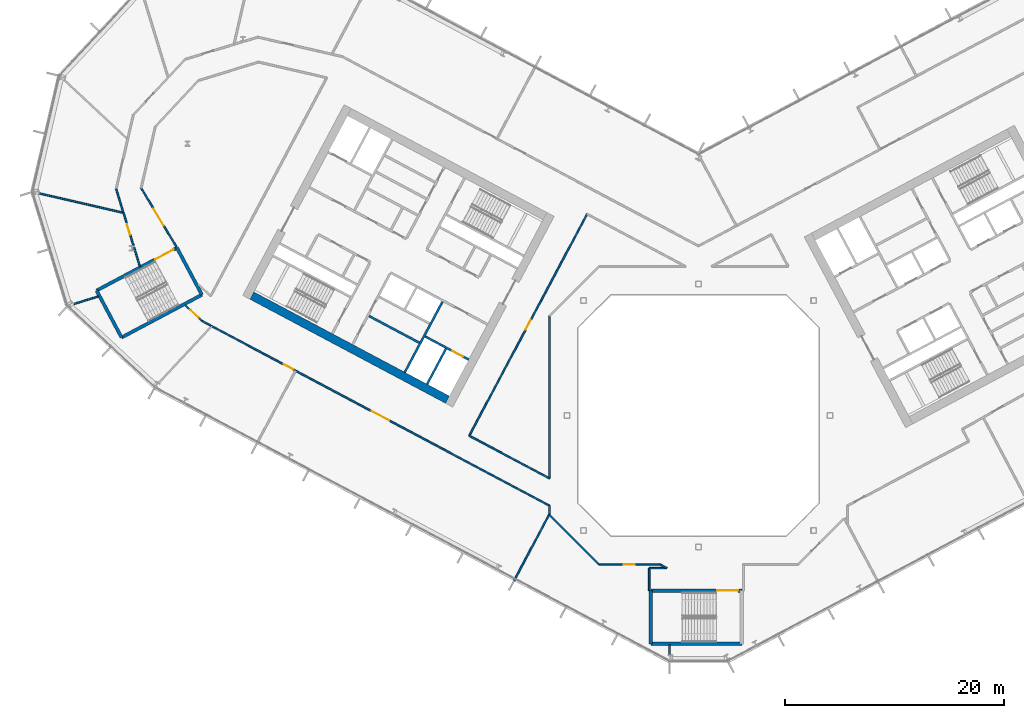
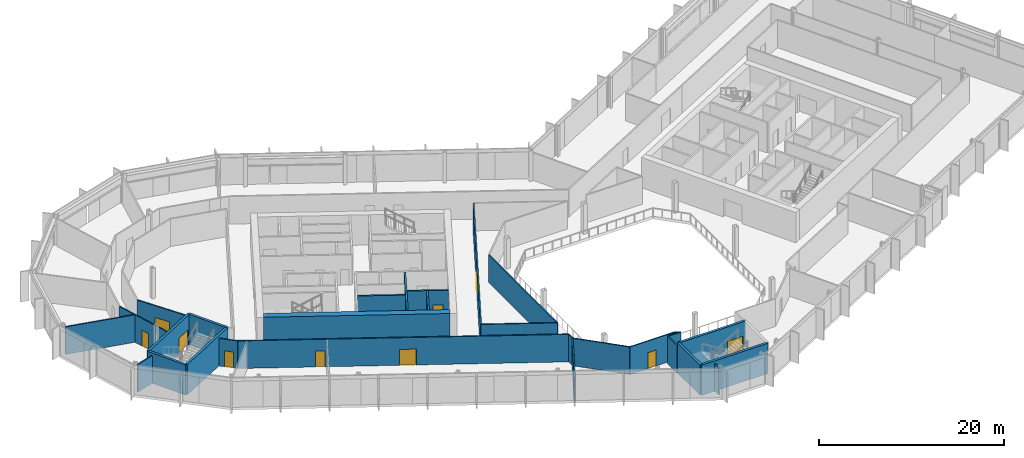
# One storey, part 13 of 28: 32 walls, 10 doors, 10 openings.
"""IFC4 building model written with IfcOpenShell, lengths in metres."""

from ifc_helpers import new_model, si_unit, direction, frame, frame_2d, origin, place, context, subcontext, project, spatial, rectangle, extrude, material, layer, layer_set, type_object, element, fill, save


model = new_model("IFC4")

# Units and contexts
model_context = context("Model", 3, precision=1e-05, world=origin(), true_north=direction((0.0, 1.0)))
body_context = subcontext(model_context, "Body", "Model", "MODEL_VIEW")
ifc_project = project(units=[si_unit("LENGTHUNIT", "METRE"), si_unit("AREAUNIT", "SQUARE_METRE"), si_unit("VOLUMEUNIT", "CUBIC_METRE"), si_unit("PLANEANGLEUNIT", "RADIAN"), si_unit("MASSUNIT", "GRAM", prefix="KILO")], contexts=[model_context])

# Site, building, storey
site_placement = place(None, origin())
site = spatial("IfcSite", under=ifc_project, at=site_placement, CompositionType="ELEMENT")
building_placement = place(site_placement, origin())
building = spatial("IfcBuilding", under=site, at=building_placement, Name="Cormorant Relay Tower", CompositionType="ELEMENT")
storey_placement = place(building_placement, frame((0.0, 0.0, 142.199951171875)))
storey = spatial("IfcBuildingStorey", under=building, at=storey_placement, Name="L29", CompositionType="ELEMENT", Elevation=142.199951171875)

# Walls
ifc_material_1 = material(Name="Concrete 40 MPa", Category="concrete")
ifc_layer_1 = layer(ifc_material_1, 0.199951171875)
ifc_layer_set_1 = layer_set([ifc_layer_1], Name="Core internal wall 200")
wall_type_1 = type_object("IfcWallType", Name="Core internal wall 200", PredefinedType="SOLIDWALL", material=ifc_layer_set_1)
wall_1_placement = place(storey_placement, frame((-25.46728515625, 6.632568359375, 0.0), z_axis=(0.0, 0.0, 1.0), x_axis=(-0.882953967957, 0.469459572775, 0.0)))
element("IfcWall", 1, at=wall_1_placement, inside=storey, type_object=wall_type_1, Name="L29 core A shaft and room wall", PredefinedType="SOLIDWALL", context=body_context, shape_type="SweptSolid", body=[
    extrude(rectangle(XDim=5.199951171875, YDim=0.199951171875, at=frame_2d((2.60009765625, 0.0))), origin(), (0.0, 0.0, 1.0), 4.0),
])
ifc_material_2 = material(Name="Concrete 50 MPa", Category="concrete")
ifc_layer_2 = layer(ifc_material_2, 0.199951171875)
ifc_layer_set_2 = layer_set([ifc_layer_2], Name="Core shaft wall 200")
wall_type_2 = type_object("IfcWallType", Name="Core shaft wall 200", PredefinedType="SHEAR", material=ifc_layer_set_2)
wall_2_placement = place(storey_placement, frame((-23.04296875, 6.07958984375, 0.0), z_axis=(0.0, 0.0, 1.0), x_axis=(-0.469494272526, -0.882935517501, 0.0)))
element("IfcWall", 2, at=wall_2_placement, inside=storey, type_object=wall_type_2, Name="L29 core A shaft wall", PredefinedType="SHEAR", context=body_context, shape_type="SweptSolid", body=[
    extrude(rectangle(XDim=3.64990234375, YDim=0.199951171875, at=frame_2d((1.824951171875, 0.0))), origin(), (0.0, 0.0, 1.0), 4.0),
])
wall_3_placement = place(storey_placement, frame((-23.360107421875, 10.38232421875, 0.0), z_axis=(0.0, 0.0, 1.0), x_axis=(-0.469480409012, -0.88294288918, 0.0)))
element("IfcWall", 3, at=wall_3_placement, inside=storey, type_object=wall_type_2, Name="L29 core A shaft wall", PredefinedType="SHEAR", context=body_context, shape_type="SweptSolid", body=[
    extrude(rectangle(XDim=7.300048828125, YDim=0.199951171875, at=frame_2d((3.64990234375, 0.0))), origin(), (0.0, 0.0, 1.0), 4.0),
])

# Wall, opening, door
wall_4_placement = place(storey_placement, frame((-20.96533203125, 5.088134765625, 0.0), z_axis=(0.0, 0.0, 1.0), x_axis=(-0.882925986334, 0.469512196493, 0.0)))
wall_4 = element("IfcWall", 4, at=wall_4_placement, inside=storey, type_object=wall_type_2, Name="L29 core A shaft wall", PredefinedType="SHEAR", context=body_context, shape_type="SweptSolid", body=[
    extrude(rectangle(XDim=4.5, YDim=0.199951171875, at=frame_2d((2.25, 0.0))), origin(), (0.0, 0.0, 1.0), 4.0),
])
opening_1_placement = place(wall_4_placement, frame((0.60009765625, 0.0, 0.0)))
opening_1 = element("IfcOpeningElement", 5, at=opening_1_placement, cuts=wall_4, Name="Opening LD1-043", PredefinedType="OPENING", context=body_context, shape_type="SweptSolid", body=[
    extrude(rectangle(XDim=1.10009765625, YDim=2.10009765625, at=frame_2d((0.550048828125, 1.050048828125))), frame((0.0, 0.10986328125, 0.0), z_axis=(0.0, -1.0, 0.0), x_axis=(1.0, 0.0, 0.0)), (0.0, 0.0, 1.0), 0.219970703125),
])
ifc_material_3 = material(Name="Stainless steel 316", Category="steel")
door_type_1 = type_object("IfcDoorType", Name="Lift landing door 1100x2100", OperationType="DOUBLE_DOOR_SLIDING", PredefinedType="DOOR", material=ifc_material_3)
door_1_placement = place(opening_1_placement, origin())
door_1 = element("IfcDoor", 6, at=door_1_placement, inside=storey, type_object=door_type_1, Name="FF1 landing door", OperationType="DOUBLE_DOOR_SLIDING", OverallHeight=2.10009765625, OverallWidth=1.10009765625, PredefinedType="DOOR", context=body_context, shape_type="SweptSolid", body=[
    extrude(rectangle(XDim=1.10009765625, YDim=2.10009765625, at=frame_2d((0.550048828125, 1.050048828125))), frame((0.0, 0.02490234375, 0.0), z_axis=(0.0, -1.0, 0.0), x_axis=(1.0, 0.0, 0.0)), (0.0, 0.0, 1.0), 0.050048828125),
])
fill(opening_1, door_1)

# Walls
ifc_material_4 = material(Name="Concrete 60 MPa", Category="concrete")
ifc_layer_3 = layer(ifc_material_4, 0.75)
ifc_layer_set_3 = layer_set([ifc_layer_3], Name="Core wall 750")
wall_type_3 = type_object("IfcWallType", Name="Core wall 750", PredefinedType="SHEAR", material=ifc_layer_set_3)
wall_5_placement = place(storey_placement, frame((-22.90185546875, 1.446044921875, 0.0), z_axis=(0.0, 0.0, 1.0), x_axis=(-0.88294509198, 0.469476266226, 0.0)))
element("IfcWall", 7, at=wall_5_placement, inside=storey, type_object=wall_type_3, Name="L29 core A wall", PredefinedType="SHEAR", context=body_context, shape_type="SweptSolid", body=[
    extrude(rectangle(XDim=20.199951171875, YDim=0.75, at=frame_2d((10.10009765625, 0.0))), origin(), (0.0, 0.0, 1.0), 4.0),
])
ifc_material_5 = material(Name="Gypsum board fire partition")
ifc_layer_4 = layer(ifc_material_5, 0.14990234375)
ifc_layer_set_4 = layer_set([ifc_layer_4], Name="Corridor partition 150 EI 60")
wall_type_4 = type_object("IfcWallType", Name="Corridor partition 150 EI 60", PredefinedType="PARTITIONING", material=ifc_layer_set_4)
wall_6_placement = place(storey_placement, frame((-53.114990234375, 20.658935546875, 0.0), z_axis=(0.0, 0.0, 1.0), x_axis=(0.292062202153, -0.956399325634, 0.0)))
element("IfcWall", 8, at=wall_6_placement, inside=storey, type_object=wall_type_4, Name="wall/L29/part/005", PredefinedType="PARTITIONING", context=body_context, shape_type="SweptSolid", body=[
    extrude(rectangle(XDim=2.221923828125, YDim=0.14990234375, at=frame_2d((1.11083984375, 0.0))), origin(), (0.0, 0.0, 1.0), 3.64013671875),
])
wall_7_placement = place(storey_placement, frame((-50.958984375, 13.60400390625, 0.0), z_axis=(0.0, 0.0, 1.0), x_axis=(-0.292326826569, 0.95631847544, 0.0)))
element("IfcWall", 9, at=wall_7_placement, inside=storey, type_object=wall_type_4, Name="wall/L29/part/006", PredefinedType="PARTITIONING", context=body_context, shape_type="SweptSolid", body=[
    extrude(rectangle(XDim=1.775634765625, YDim=0.14990234375, at=frame_2d((0.8876953125, 0.0))), origin(), (0.0, 0.0, 1.0), 3.64013671875),
])

# Wall, opening, door
wall_8_placement = place(storey_placement, frame((-51.534912109375, 15.489990234375, 0.0), z_axis=(0.0, 0.0, 1.0), x_axis=(-0.292522494411, 0.956258641929, 0.0)))
wall_8 = element("IfcWall", 10, at=wall_8_placement, inside=storey, type_object=wall_type_4, Name="wall/L29/part/007", PredefinedType="PARTITIONING", context=body_context, shape_type="SweptSolid", body=[
    extrude(rectangle(XDim=3.18310546875, YDim=0.14990234375, at=frame_2d((1.591552734375, 0.0))), origin(), (0.0, 0.0, 1.0), 3.64013671875),
])
opening_2_placement = place(wall_8_placement, frame((1.050048828125, 0.0, 0.0)))
opening_2 = element("IfcOpeningElement", 11, at=opening_2_placement, cuts=wall_8, Name="Opening DS-012", PredefinedType="OPENING", context=body_context, shape_type="SweptSolid", body=[
    extrude(rectangle(XDim=1.0, YDim=2.10009765625, at=frame_2d((0.5, 1.050048828125))), frame((0.0, 0.0849609375, 0.0), z_axis=(0.0, -1.0, 0.0), x_axis=(1.0, 0.0, 0.0)), (0.0, 0.0, 1.0), 0.169921875),
])
ifc_material_6 = material(Name="Timber door leaf", Category="wood")
door_type_2 = type_object("IfcDoorType", Name="Suite door 1000x2100", OperationType="SINGLE_SWING_LEFT", PredefinedType="DOOR", material=ifc_material_6)
door_2_placement = place(opening_2_placement, origin())
door_2 = element("IfcDoor", 12, at=door_2_placement, inside=storey, type_object=door_type_2, Name="door/L29/015", OperationType="SINGLE_SWING_LEFT", OverallHeight=2.10009765625, OverallWidth=1.0, PredefinedType="DOOR", context=body_context, shape_type="SweptSolid", body=[
    extrude(rectangle(XDim=1.0, YDim=2.10009765625, at=frame_2d((0.5, 1.050048828125))), frame((0.0, 0.02490234375, 0.0), z_axis=(0.0, -1.0, 0.0), x_axis=(1.0, 0.0, 0.0)), (0.0, 0.0, 1.0), 0.050048828125),
])
fill(opening_2, door_2)

wall_9_placement = place(storey_placement, frame((-47.618896484375, 15.37890625, 0.0), z_axis=(0.0, 0.0, 1.0), x_axis=(-0.515052665436, 0.857158533661, 0.0)))
wall_9 = element("IfcWall", 13, at=wall_9_placement, inside=storey, type_object=wall_type_4, Name="wall/L29/part/015", PredefinedType="PARTITIONING", context=body_context, shape_type="SweptSolid", body=[
    extrude(rectangle(XDim=6.252197265625, YDim=0.14990234375, at=frame_2d((3.1259765625, 0.0))), origin(), (0.0, 0.0, 1.0), 3.64013671875),
])
opening_3_placement = place(wall_9_placement, frame((2.25, 0.0, 0.0)))
opening_3 = element("IfcOpeningElement", 14, at=opening_3_placement, cuts=wall_9, Name="Opening DD-009", PredefinedType="OPENING", context=body_context, shape_type="SweptSolid", body=[
    extrude(rectangle(XDim=1.800048828125, YDim=2.10009765625, at=frame_2d((0.89990234375, 1.050048828125))), frame((0.0, 0.0849609375, 0.0), z_axis=(0.0, -1.0, 0.0), x_axis=(1.0, 0.0, 0.0)), (0.0, 0.0, 1.0), 0.169921875),
])
ifc_material_7 = material(Name="Timber door leaf", Category="wood")
door_type_3 = type_object("IfcDoorType", Name="Suite double door 1800x2100", OperationType="DOUBLE_DOOR_SINGLE_SWING", PredefinedType="DOOR", material=ifc_material_7)
door_3_placement = place(opening_3_placement, frame((1.800048828125, 0.0, 0.0), z_axis=(0.0, 0.0, 1.0), x_axis=(-1.0, 0.0, 0.0)))
door_3 = element("IfcDoor", 15, at=door_3_placement, inside=storey, type_object=door_type_3, Name="door/L29/001", OperationType="DOUBLE_DOOR_SINGLE_SWING", OverallHeight=2.10009765625, OverallWidth=1.800048828125, PredefinedType="DOOR", context=body_context, shape_type="SweptSolid", body=[
    extrude(rectangle(XDim=1.800048828125, YDim=2.10009765625, at=frame_2d((0.89990234375, 1.050048828125))), frame((0.0, 0.02490234375, 0.0), z_axis=(0.0, -1.0, 0.0), x_axis=(1.0, 0.0, 0.0)), (0.0, 0.0, 1.0), 0.050048828125),
])
fill(opening_3, door_3)

# Wall
wall_10_placement = place(storey_placement, frame((-44.4619140625, 8.180908203125, 0.0), z_axis=(0.0, 0.0, 1.0), x_axis=(-0.882750253305, 0.469842516478, 0.0)))
element("IfcWall", 16, at=wall_10_placement, inside=storey, type_object=wall_type_4, Name="wall/L29/part/022", PredefinedType="PARTITIONING", context=body_context, shape_type="SweptSolid", body=[
    extrude(rectangle(XDim=0.934814453125, YDim=0.14990234375, at=frame_2d((0.46728515625, 0.0))), origin(), (0.0, 0.0, 1.0), 3.64013671875),
])

# Wall, opening, door
wall_11_placement = place(storey_placement, frame((-45.287109375, 8.6201171875, 0.0), z_axis=(0.0, 0.0, 1.0), x_axis=(-0.731593637228, 0.681740969846, 0.0)))
wall_11 = element("IfcWall", 17, at=wall_11_placement, inside=storey, type_object=wall_type_4, Name="wall/L29/part/023", PredefinedType="PARTITIONING", context=body_context, shape_type="SweptSolid", body=[
    extrude(rectangle(XDim=2.12548828125, YDim=0.14990234375, at=frame_2d((1.062744140625, 0.0))), origin(), (0.0, 0.0, 1.0), 3.64013671875),
])
opening_4_placement = place(wall_11_placement, frame((0.449951171875, 0.0, 0.0)))
opening_4 = element("IfcOpeningElement", 18, at=opening_4_placement, cuts=wall_11, Name="Opening DS-013", PredefinedType="OPENING", context=body_context, shape_type="SweptSolid", body=[
    extrude(rectangle(XDim=1.0, YDim=2.10009765625, at=frame_2d((0.5, 1.050048828125))), frame((0.0, 0.0849609375, 0.0), z_axis=(0.0, -1.0, 0.0), x_axis=(1.0, 0.0, 0.0)), (0.0, 0.0, 1.0), 0.169921875),
])
door_4_placement = place(opening_4_placement, origin())
door_4 = element("IfcDoor", 19, at=door_4_placement, inside=storey, type_object=door_type_2, Name="door/L29/016", OperationType="SINGLE_SWING_RIGHT", OverallHeight=2.10009765625, OverallWidth=1.0, PredefinedType="DOOR", context=body_context, shape_type="SweptSolid", body=[
    extrude(rectangle(XDim=1.0, YDim=2.10009765625, at=frame_2d((0.5, 1.050048828125))), frame((0.0, 0.02490234375, 0.0), z_axis=(0.0, -1.0, 0.0), x_axis=(1.0, 0.0, 0.0)), (0.0, 0.0, 1.0), 0.050048828125),
])
fill(opening_4, door_4)

# Wall, openings, doors
wall_12_placement = place(storey_placement, frame((-13.60009765625, -8.22802734375, 0.0), z_axis=(0.0, 0.0, 1.0), x_axis=(-0.882954510497, 0.469458552369, 0.0)))
wall_12 = element("IfcWall", 20, at=wall_12_placement, inside=storey, type_object=wall_type_4, Name="wall/L29/part/024", PredefinedType="PARTITIONING", context=body_context, shape_type="SweptSolid", body=[
    extrude(rectangle(XDim=34.952880859375, YDim=0.14990234375, at=frame_2d((17.4765625, 0.0))), origin(), (0.0, 0.0, 1.0), 3.64013671875),
])
opening_5_placement = place(wall_12_placement, frame((26.449951171875, 0.0, 0.0)))
opening_5 = element("IfcOpeningElement", 21, at=opening_5_placement, cuts=wall_12, Name="Opening DS-042", PredefinedType="OPENING", context=body_context, shape_type="SweptSolid", body=[
    extrude(rectangle(XDim=1.0, YDim=2.10009765625, at=frame_2d((0.5, 1.050048828125))), frame((0.0, 0.0849609375, 0.0), z_axis=(0.0, -1.0, 0.0), x_axis=(1.0, 0.0, 0.0)), (0.0, 0.0, 1.0), 0.169921875),
])
opening_6_placement = place(wall_12_placement, frame((16.550048828125, 0.0, 0.0)))
opening_6 = element("IfcOpeningElement", 22, at=opening_6_placement, cuts=wall_12, Name="Opening DD-012", PredefinedType="OPENING", context=body_context, shape_type="SweptSolid", body=[
    extrude(rectangle(XDim=1.800048828125, YDim=2.10009765625, at=frame_2d((0.89990234375, 1.050048828125))), frame((0.0, 0.0849609375, 0.0), z_axis=(0.0, -1.0, 0.0), x_axis=(1.0, 0.0, 0.0)), (0.0, 0.0, 1.0), 0.169921875),
])
door_5_placement = place(opening_5_placement, origin())
door_5 = element("IfcDoor", 23, at=door_5_placement, inside=storey, type_object=door_type_2, Name="door/L29/017", OperationType="SINGLE_SWING_LEFT", OverallHeight=2.10009765625, OverallWidth=1.0, PredefinedType="DOOR", context=body_context, shape_type="SweptSolid", body=[
    extrude(rectangle(XDim=1.0, YDim=2.10009765625, at=frame_2d((0.5, 1.050048828125))), frame((0.0, 0.02490234375, 0.0), z_axis=(0.0, -1.0, 0.0), x_axis=(1.0, 0.0, 0.0)), (0.0, 0.0, 1.0), 0.050048828125),
])
fill(opening_5, door_5)
door_6_placement = place(opening_6_placement, origin())
door_6 = element("IfcDoor", 24, at=door_6_placement, inside=storey, type_object=door_type_3, Name="door/L29/018", OperationType="DOUBLE_DOOR_SINGLE_SWING", OverallHeight=2.10009765625, OverallWidth=1.800048828125, PredefinedType="DOOR", context=body_context, shape_type="SweptSolid", body=[
    extrude(rectangle(XDim=1.800048828125, YDim=2.10009765625, at=frame_2d((0.89990234375, 1.050048828125))), frame((0.0, 0.02490234375, 0.0), z_axis=(0.0, -1.0, 0.0), x_axis=(1.0, 0.0, 0.0)), (0.0, 0.0, 1.0), 0.050048828125),
])
fill(opening_6, door_6)

# Wall
wall_13_placement = place(storey_placement, frame((-13.60009765625, -8.22802734375, 0.0), z_axis=(0.0, 0.0, 1.0), x_axis=(0.0, -1.0, 0.0)))
element("IfcWall", 25, at=wall_13_placement, inside=storey, type_object=wall_type_4, Name="wall/L29/part/035", PredefinedType="PARTITIONING", context=body_context, shape_type="SweptSolid", body=[
    extrude(rectangle(XDim=0.77001953125, YDim=0.14990234375, at=frame_2d((0.385009765625, 0.0))), origin(), (0.0, 0.0, 1.0), 3.64013671875),
])

# Wall, opening, door
wall_14_placement = place(storey_placement, frame((-3.447021484375, -13.60009765625, 0.0), z_axis=(0.0, 0.0, 1.0), x_axis=(-1.0, 0.0, 0.0)))
wall_14 = element("IfcWall", 26, at=wall_14_placement, inside=storey, type_object=wall_type_4, Name="wall/L29/part/038", PredefinedType="PARTITIONING", context=body_context, shape_type="SweptSolid", body=[
    extrude(rectangle(XDim=5.6298828125, YDim=0.14990234375, at=frame_2d((2.81494140625, 0.0))), origin(), (0.0, 0.0, 1.0), 3.64013671875),
])
opening_7_placement = place(wall_14_placement, frame((2.385986328125, 0.0, 0.0)))
opening_7 = element("IfcOpeningElement", 27, at=opening_7_placement, cuts=wall_14, Name="Opening DS-043", PredefinedType="OPENING", context=body_context, shape_type="SweptSolid", body=[
    extrude(rectangle(XDim=1.0, YDim=2.10009765625, at=frame_2d((0.5, 1.050048828125))), frame((0.0, 0.0849609375, 0.0), z_axis=(0.0, -1.0, 0.0), x_axis=(1.0, 0.0, 0.0)), (0.0, 0.0, 1.0), 0.169921875),
])
door_7_placement = place(opening_7_placement, origin())
door_7 = element("IfcDoor", 28, at=door_7_placement, inside=storey, type_object=door_type_2, Name="door/L29/019", OperationType="SINGLE_SWING_LEFT", OverallHeight=2.10009765625, OverallWidth=1.0, PredefinedType="DOOR", context=body_context, shape_type="SweptSolid", body=[
    extrude(rectangle(XDim=1.0, YDim=2.10009765625, at=frame_2d((0.5, 1.050048828125))), frame((0.0, 0.02490234375, 0.0), z_axis=(0.0, -1.0, 0.0), x_axis=(1.0, 0.0, 0.0)), (0.0, 0.0, 1.0), 0.050048828125),
])
fill(opening_7, door_7)

# Walls
wall_15_placement = place(storey_placement, frame((-9.076904296875, -13.60009765625, 0.0), z_axis=(0.0, 0.0, 1.0), x_axis=(-0.707106781187, 0.707106781187, 0.0)))
element("IfcWall", 29, at=wall_15_placement, inside=storey, type_object=wall_type_4, Name="wall/L29/part/039", PredefinedType="PARTITIONING", context=body_context, shape_type="SweptSolid", body=[
    extrude(rectangle(XDim=6.396728515625, YDim=0.14990234375, at=frame_2d((3.1982421875, 0.0))), origin(), (0.0, 0.0, 1.0), 3.64013671875),
])
wall_16_placement = place(storey_placement, frame((-4.5, -15.97509765625, 0.0), z_axis=(0.0, 0.0, 1.0), x_axis=(0.0, 1.0, 0.0)))
element("IfcWall", 30, at=wall_16_placement, inside=storey, type_object=wall_type_4, Name="wall/L29/part/040", PredefinedType="PARTITIONING", context=body_context, shape_type="SweptSolid", body=[
    extrude(rectangle(XDim=2.050048828125, YDim=0.14990234375, at=frame_2d((1.02490234375, 0.0))), origin(), (0.0, 0.0, 1.0), 3.64013671875),
])
wall_17_placement = place(storey_placement, frame((-2.908935546875, -13.925048828125, 0.0), z_axis=(0.0, 0.0, 1.0), x_axis=(-0.999999811638, -0.000613779231, 0.0)))
element("IfcWall", 31, at=wall_17_placement, inside=storey, type_object=wall_type_4, Name="wall/L29/part/041", PredefinedType="PARTITIONING", context=body_context, shape_type="SweptSolid", body=[
    extrude(rectangle(XDim=1.591064453125, YDim=0.14990234375, at=frame_2d((0.79541015625, 0.0))), origin(), (0.0, 0.0, 1.0), 3.64013671875),
])
wall_18_placement = place(storey_placement, frame((-2.885986328125, -13.925048828125, 0.0), z_axis=(0.0, 0.0, 1.0), x_axis=(-0.882928394432, 0.469507667994, 0.0)))
element("IfcWall", 32, at=wall_18_placement, inside=storey, type_object=wall_type_4, Name="wall/L29/part/042", PredefinedType="PARTITIONING", context=body_context, shape_type="SweptSolid", body=[
    extrude(rectangle(XDim=0.692138671875, YDim=0.14990234375, at=frame_2d((0.34619140625, 0.0))), origin(), (0.0, 0.0, 1.0), 3.64013671875),
])

# Wall, opening, door
wall_19_placement = place(storey_placement, frame((-20.9150390625, -1.846923828125, 0.0), z_axis=(0.0, 0.0, 1.0), x_axis=(0.469483365134, 0.882941317338, 0.0)))
wall_19 = element("IfcWall", 33, at=wall_19_placement, inside=storey, type_object=wall_type_4, Name="wall/L29/part/069", PredefinedType="PARTITIONING", context=body_context, shape_type="SweptSolid", body=[
    extrude(rectangle(XDim=22.899658203125, YDim=0.14990234375, at=frame_2d((11.44970703125, 0.0))), origin(), (0.0, 0.0, 1.0), 3.64013671875),
])
opening_8_placement = place(wall_19_placement, frame((10.949951171875, 0.0, 0.0)))
opening_8 = element("IfcOpeningElement", 34, at=opening_8_placement, cuts=wall_19, Name="Opening DS-035", PredefinedType="OPENING", context=body_context, shape_type="SweptSolid", body=[
    extrude(rectangle(XDim=1.0, YDim=2.10009765625, at=frame_2d((0.5, 1.050048828125))), frame((0.0, 0.0849609375, 0.0), z_axis=(0.0, -1.0, 0.0), x_axis=(1.0, 0.0, 0.0)), (0.0, 0.0, 1.0), 0.169921875),
])
door_8_placement = place(opening_8_placement, frame((1.0, 0.0, 0.0), z_axis=(0.0, 0.0, 1.0), x_axis=(-1.0, 0.0, 0.0)))
door_8 = element("IfcDoor", 35, at=door_8_placement, inside=storey, type_object=door_type_2, Name="door/L29/002", OperationType="SINGLE_SWING_LEFT", OverallHeight=2.10009765625, OverallWidth=1.0, PredefinedType="DOOR", context=body_context, shape_type="SweptSolid", body=[
    extrude(rectangle(XDim=1.0, YDim=2.10009765625, at=frame_2d((0.5, 1.050048828125))), frame((0.0, 0.02490234375, 0.0), z_axis=(0.0, -1.0, 0.0), x_axis=(1.0, 0.0, 0.0)), (0.0, 0.0, 1.0), 0.050048828125),
])
fill(opening_8, door_8)

# Walls
wall_20_placement = place(storey_placement, frame((-13.60009765625, 9.076904296875, 0.0), z_axis=(0.0, 0.0, 1.0), x_axis=(0.0, -1.0, 0.0)))
element("IfcWall", 36, at=wall_20_placement, inside=storey, type_object=wall_type_4, Name="wall/L29/part/073", PredefinedType="PARTITIONING", context=body_context, shape_type="SweptSolid", body=[
    extrude(rectangle(XDim=14.81396484375, YDim=0.14990234375, at=frame_2d((7.406982421875, 0.0))), origin(), (0.0, 0.0, 1.0), 3.64013671875),
])
wall_21_placement = place(storey_placement, frame((-13.60009765625, -5.737060546875, 0.0), z_axis=(0.0, 0.0, 1.0), x_axis=(-0.882911898193, 0.469538688533, 0.0)))
element("IfcWall", 37, at=wall_21_placement, inside=storey, type_object=wall_type_4, Name="wall/L29/part/074", PredefinedType="PARTITIONING", context=body_context, shape_type="SweptSolid", body=[
    extrude(rectangle(XDim=8.284912109375, YDim=0.14990234375, at=frame_2d((4.142578125, 0.0))), origin(), (0.0, 0.0, 1.0), 3.64013671875),
])
ifc_material_8 = material(Name="Concrete 50 MPa", Category="concrete")
ifc_layer_5 = layer(ifc_material_8, 0.300048828125)
ifc_layer_set_5 = layer_set([ifc_layer_5], Name="Remote stair wall 300")
wall_type_5 = type_object("IfcWallType", Name="Remote stair wall 300", PredefinedType="SHEAR", material=ifc_layer_set_5)
wall_22_placement = place(storey_placement, frame((3.949951171875, -20.824951171875, 0.0), z_axis=(0.0, 0.0, 1.0), x_axis=(-1.0, 0.0, 0.0)))
element("IfcWall", 38, at=wall_22_placement, inside=storey, type_object=wall_type_5, Name="L29 exit stair RK1 wall", PredefinedType="SHEAR", context=body_context, shape_type="SweptSolid", body=[
    extrude(rectangle(XDim=8.300048828125, YDim=0.300048828125, at=frame_2d((4.14990234375, 0.0))), origin(), (0.0, 0.0, 1.0), 4.0),
])
wall_23_placement = place(storey_placement, frame((-4.35009765625, -20.824951171875, 0.0), z_axis=(0.0, 0.0, 1.0), x_axis=(0.0, 1.0, 0.0)))
element("IfcWall", 39, at=wall_23_placement, inside=storey, type_object=wall_type_5, Name="L29 exit stair RK1 wall", PredefinedType="SHEAR", context=body_context, shape_type="SweptSolid", body=[
    extrude(rectangle(XDim=4.849853515625, YDim=0.300048828125, at=frame_2d((2.4248046875, 0.0))), origin(), (0.0, 0.0, 1.0), 4.0),
])

# Wall, opening, door
wall_24_placement = place(storey_placement, frame((-4.35009765625, -15.97509765625, 0.0), z_axis=(0.0, 0.0, 1.0), x_axis=(1.0, 0.0, 0.0)))
wall_24 = element("IfcWall", 40, at=wall_24_placement, inside=storey, type_object=wall_type_5, Name="L29 exit stair RK1 wall", PredefinedType="SHEAR", context=body_context, shape_type="SweptSolid", body=[
    extrude(rectangle(XDim=8.300048828125, YDim=0.300048828125, at=frame_2d((4.14990234375, 0.0))), origin(), (0.0, 0.0, 1.0), 4.0),
])
opening_9_placement = place(wall_24_placement, frame((6.050048828125, 0.0, 0.0)))
opening_9 = element("IfcOpeningElement", 41, at=opening_9_placement, cuts=wall_24, Name="Opening CDE-012", PredefinedType="OPENING", context=body_context, shape_type="SweptSolid", body=[
    extrude(rectangle(XDim=1.89990234375, YDim=2.10009765625, at=frame_2d((0.949951171875, 1.050048828125))), frame((0.0, 0.159912109375, 0.0), z_axis=(0.0, -1.0, 0.0), x_axis=(1.0, 0.0, 0.0)), (0.0, 0.0, 1.0), 0.320068359375),
])
ifc_material_9 = material(Name="Steel fire door", Category="steel")
door_type_4 = type_object("IfcDoorType", Name="Remote stair door 1900x2100", OperationType="DOUBLE_DOOR_SINGLE_SWING", PredefinedType="DOOR", material=ifc_material_9)
door_9_placement = place(opening_9_placement, frame((1.89990234375, 0.0, 0.0), z_axis=(0.0, 0.0, 1.0), x_axis=(-1.0, 0.0, 0.0)))
door_9 = element("IfcDoor", 42, at=door_9_placement, inside=storey, type_object=door_type_4, Name="Exit stair RK1 door", OperationType="DOUBLE_DOOR_SINGLE_SWING", OverallHeight=2.10009765625, OverallWidth=1.89990234375, PredefinedType="DOOR", context=body_context, shape_type="SweptSolid", body=[
    extrude(rectangle(XDim=1.89990234375, YDim=2.10009765625, at=frame_2d((0.949951171875, 1.050048828125))), frame((0.0, 0.02490234375, 0.0), z_axis=(0.0, -1.0, 0.0), x_axis=(1.0, 0.0, 0.0)), (0.0, 0.0, 1.0), 0.050048828125),
])
fill(opening_9, door_9)

# Walls
wall_25_placement = place(storey_placement, frame((-47.57421875, 15.28955078125, 0.0), z_axis=(0.0, 0.0, 1.0), x_axis=(0.469443498566, -0.882962514297, 0.0)))
element("IfcWall", 43, at=wall_25_placement, inside=storey, type_object=wall_type_5, Name="L29 exit stair RP1 wall", PredefinedType="SHEAR", context=body_context, shape_type="SweptSolid", body=[
    extrude(rectangle(XDim=4.85009765625, YDim=0.300048828125, at=frame_2d((2.425048828125, 0.0))), origin(), (0.0, 0.0, 1.0), 4.0),
])
wall_26_placement = place(storey_placement, frame((-45.29736328125, 11.007080078125, 0.0), z_axis=(0.0, 0.0, 1.0), x_axis=(-0.882951519127, -0.469464178475, 0.0)))
element("IfcWall", 44, at=wall_26_placement, inside=storey, type_object=wall_type_5, Name="L29 exit stair RP1 wall", PredefinedType="SHEAR", context=body_context, shape_type="SweptSolid", body=[
    extrude(rectangle(XDim=8.2998046875, YDim=0.300048828125, at=frame_2d((4.14990234375, 0.0))), origin(), (0.0, 0.0, 1.0), 4.0),
])
wall_27_placement = place(storey_placement, frame((-52.625732421875, 7.110595703125, 0.0), z_axis=(0.0, 0.0, 1.0), x_axis=(-0.469464364128, 0.882951420416, 0.0)))
element("IfcWall", 45, at=wall_27_placement, inside=storey, type_object=wall_type_5, Name="L29 exit stair RP1 wall", PredefinedType="SHEAR", context=body_context, shape_type="SweptSolid", body=[
    extrude(rectangle(XDim=4.849853515625, YDim=0.300048828125, at=frame_2d((2.4248046875, 0.0))), origin(), (0.0, 0.0, 1.0), 4.0),
])

# Wall, opening, door
wall_28_placement = place(storey_placement, frame((-54.902587890625, 11.392822265625, 0.0), z_axis=(0.0, 0.0, 1.0), x_axis=(0.882939326045, 0.469487110071, 0.0)))
wall_28 = element("IfcWall", 46, at=wall_28_placement, inside=storey, type_object=wall_type_5, Name="L29 exit stair RP1 wall", PredefinedType="SHEAR", context=body_context, shape_type="SweptSolid", body=[
    extrude(rectangle(XDim=8.300048828125, YDim=0.300048828125, at=frame_2d((4.14990234375, 0.0))), origin(), (0.0, 0.0, 1.0), 4.0),
])
opening_10_placement = place(wall_28_placement, frame((6.050048828125, 0.0, 0.0)))
opening_10 = element("IfcOpeningElement", 47, at=opening_10_placement, cuts=wall_28, Name="Opening CDE-013", PredefinedType="OPENING", context=body_context, shape_type="SweptSolid", body=[
    extrude(rectangle(XDim=1.89990234375, YDim=2.10009765625, at=frame_2d((0.949951171875, 1.050048828125))), frame((0.0, 0.159912109375, 0.0), z_axis=(0.0, -1.0, 0.0), x_axis=(1.0, 0.0, 0.0)), (0.0, 0.0, 1.0), 0.320068359375),
])
door_10_placement = place(opening_10_placement, frame((1.89990234375, 0.0, 0.0), z_axis=(0.0, 0.0, 1.0), x_axis=(-1.0, 0.0, 0.0)))
door_10 = element("IfcDoor", 48, at=door_10_placement, inside=storey, type_object=door_type_4, Name="Exit stair RP1 door", OperationType="DOUBLE_DOOR_SINGLE_SWING", OverallHeight=2.10009765625, OverallWidth=1.89990234375, PredefinedType="DOOR", context=body_context, shape_type="SweptSolid", body=[
    extrude(rectangle(XDim=1.89990234375, YDim=2.10009765625, at=frame_2d((0.949951171875, 1.050048828125))), frame((0.0, 0.02490234375, 0.0), z_axis=(0.0, -1.0, 0.0), x_axis=(1.0, 0.0, 0.0)), (0.0, 0.0, 1.0), 0.050048828125),
])
fill(opening_10, door_10)

# Walls
ifc_material_10 = material(Name="Gypsum board partition")
ifc_layer_6 = layer(ifc_material_10, 0.14990234375)
ifc_layer_set_6 = layer_set([ifc_layer_6], Name="Tenant partition 150")
wall_type_6 = type_object("IfcWallType", Name="Tenant partition 150", PredefinedType="PARTITIONING", material=ifc_layer_set_6)
wall_29_placement = place(storey_placement, frame((-52.449951171875, 18.48388671875, 0.0), z_axis=(0.0, 0.0, 1.0), x_axis=(-0.974348948829, 0.225042498023, 0.0)))
element("IfcWall", 49, at=wall_29_placement, inside=storey, type_object=wall_type_6, Name="wall/L29/part/001", PredefinedType="PARTITIONING", context=body_context, shape_type="SweptSolid", body=[
    extrude(rectangle(XDim=7.892333984375, YDim=0.14990234375, at=frame_2d((3.9462890625, 0.0))), origin(), (0.0, 0.0, 1.0), 3.64013671875),
])
wall_30_placement = place(storey_placement, frame((-54.73193359375, 10.85693359375, 0.0), z_axis=(0.0, 0.0, 1.0), x_axis=(-0.956196980242, -0.292723991119, 0.0)))
element("IfcWall", 50, at=wall_30_placement, inside=storey, type_object=wall_type_6, Name="wall/L29/part/003", PredefinedType="PARTITIONING", context=body_context, shape_type="SweptSolid", body=[
    extrude(rectangle(XDim=2.343505859375, YDim=0.14990234375, at=frame_2d((1.171875, 0.0))), origin(), (0.0, 0.0, 1.0), 3.64013671875),
])
wall_31_placement = place(storey_placement, frame((-13.60009765625, -8.998046875, 0.0), z_axis=(0.0, 0.0, 1.0), x_axis=(-0.469531053644, -0.882915958438, 0.0)))
element("IfcWall", 51, at=wall_31_placement, inside=storey, type_object=wall_type_6, Name="wall/L29/part/036", PredefinedType="PARTITIONING", context=body_context, shape_type="SweptSolid", body=[
    extrude(rectangle(XDim=6.870361328125, YDim=0.14990234375, at=frame_2d((3.43505859375, 0.0))), origin(), (0.0, 0.0, 1.0), 3.64013671875),
])
wall_32_placement = place(storey_placement, frame((-2.64892578125, -20.925048828125, 0.0), z_axis=(0.0, 0.0, 1.0), x_axis=(0.0, -1.0, 0.0)))
element("IfcWall", 52, at=wall_32_placement, inside=storey, type_object=wall_type_6, Name="wall/L29/part/043", PredefinedType="PARTITIONING", context=body_context, shape_type="SweptSolid", body=[
    extrude(rectangle(XDim=0.90283203125, YDim=0.14990234375, at=frame_2d((0.451416015625, 0.0))), origin(), (0.0, 0.0, 1.0), 3.64013671875),
])

save(model, "model.ifc")
